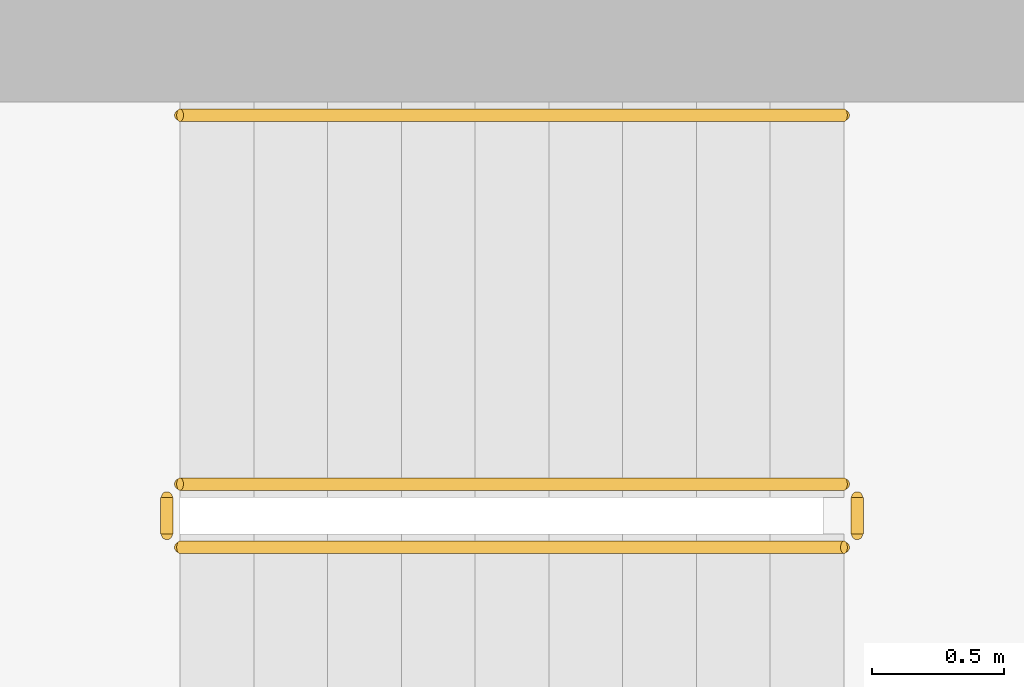
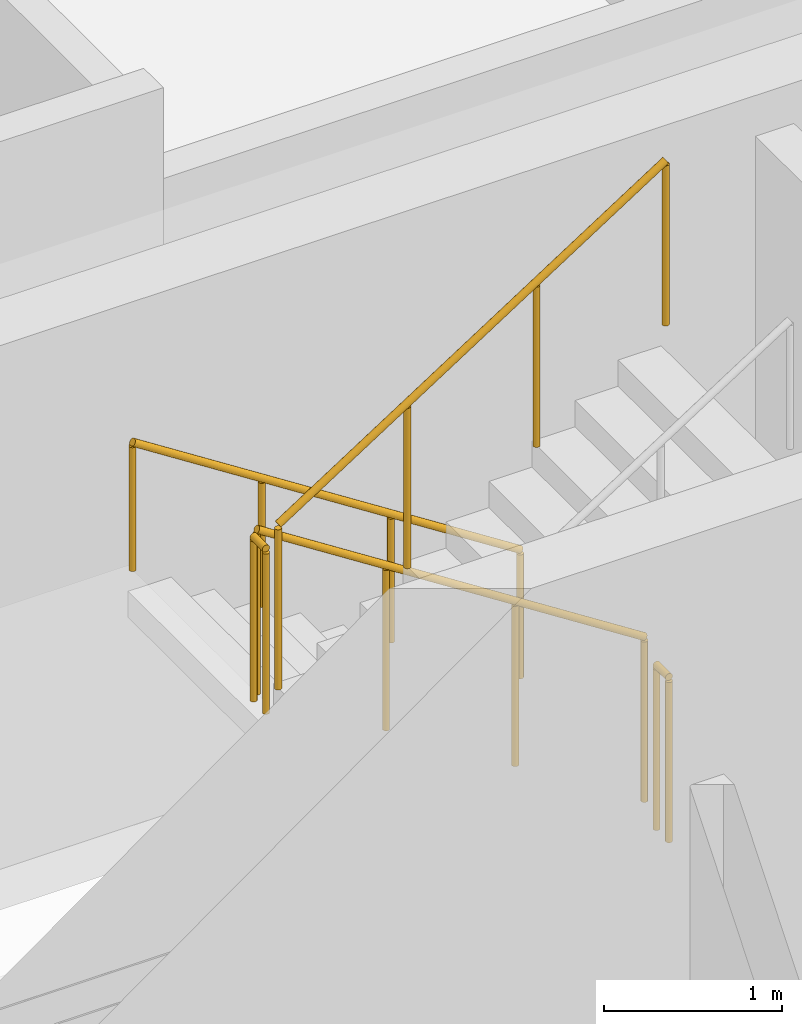
# One storey, part 13 of 14: 5 railings.
"""IFC4 building model written with IfcOpenShell, lengths in metres."""

from ifc_helpers import new_model, si_unit, derived_unit, direction, frame, origin, origin_2d, place, context, subcontext, project, spatial, circle, extrude, material, type_object, element, save


model = new_model("IFC4")

# Units and contexts
model_context = context("Model", 3, precision=1e-05, world=origin(), true_north=direction((0.0, 1.0)))
body_context = subcontext(model_context, "Body", "Model", "MODEL_VIEW")
ifc_project = project(units=[si_unit("LENGTHUNIT", "METRE"), si_unit("AREAUNIT", "SQUARE_METRE"), si_unit("VOLUMEUNIT", "CUBIC_METRE"), si_unit("PLANEANGLEUNIT", "RADIAN"), si_unit("MASSUNIT", "GRAM", prefix="KILO"), derived_unit("THERMALTRANSMITTANCEUNIT", [(si_unit("POWERUNIT", "WATT"), 1), (si_unit("LENGTHUNIT", "METRE"), -2), (si_unit("THERMODYNAMICTEMPERATUREUNIT", "KELVIN"), -1)])], contexts=[model_context])

# Site, building, storey
site_placement = place(None, origin())
site = spatial("IfcSite", under=ifc_project, at=site_placement, CompositionType="ELEMENT")
building_placement = place(site_placement, origin())
building = spatial("IfcBuilding", under=site, at=building_placement, Name="Kivonza Crest Hotel", CompositionType="ELEMENT")
storey_placement = place(building_placement, frame((0.0, 0.0, 217.10009765625)))
storey = spatial("IfcBuildingStorey", under=building, at=storey_placement, Name="L59", CompositionType="ELEMENT", Elevation=217.10009765625)

# Railings
ifc_material_1 = material(Name="Brushed stainless steel handrail", Category="steel")
railing_type_1 = type_object("IfcRailingType", Name="RL-HAND-900", PredefinedType="HANDRAIL", material=ifc_material_1)
railing_1_placement = place(storey_placement, frame((12.239990234375, 36.110107421875, 0.179931640625)))
element("IfcRailing", 1, at=railing_1_placement, inside=storey, type_object=railing_type_1, Name="L59 ST-T1-N stair handrail 1", PredefinedType="HANDRAIL", context=body_context, shape_type="SweptSolid", body=[
    extrude(circle(Radius=0.02392578125, at=origin_2d()), frame((0.0, 0.0, 0.8759765625), z_axis=(-0.841199657755, 0.0, 0.540724639528), x_axis=(0.0, -1.0, 0.0)), (0.0, 0.0, 1.0), 2.995849609375),
    extrude(circle(Radius=0.02099609375, at=origin_2d()), origin(), (0.0, 0.0, 1.0), 0.851806640625),
    extrude(circle(Radius=0.02099609375, at=origin_2d()), frame((-0.840087890625, 0.0, 0.5400390625)), (0.0, 0.0, 1.0), 0.851806640625),
    extrude(circle(Radius=0.02099609375, at=origin_2d()), frame((-1.679931640625, 0.0, 1.079833984375)), (0.0, 0.0, 1.0), 0.851806640625),
    extrude(circle(Radius=0.02099609375, at=origin_2d()), frame((-2.52001953125, 0.0, 1.619873046875)), (0.0, 0.0, 1.0), 0.851806640625),
])
ifc_material_2 = material(Name="Painted steel balustrade", Category="steel")
railing_type_2 = type_object("IfcRailingType", Name="RL-STAIR-1150", PredefinedType="BALUSTRADE", material=ifc_material_2)
railing_2_placement = place(storey_placement, frame((12.239990234375, 34.7099609375, 0.179931640625)))
element("IfcRailing", 2, at=railing_2_placement, inside=storey, type_object=railing_type_2, Name="L59 ST-T1-N stair guard 1", PredefinedType="BALUSTRADE", context=body_context, shape_type="SweptSolid", body=[
    extrude(circle(Radius=0.02392578125, at=origin_2d()), frame((0.0, 0.0, 1.1259765625), z_axis=(-0.841199657755, 0.0, 0.540724639528), x_axis=(0.0, -1.0, 0.0)), (0.0, 0.0, 1.0), 2.995849609375),
    extrude(circle(Radius=0.02099609375, at=origin_2d()), origin(), (0.0, 0.0, 1.0), 1.101806640625),
    extrude(circle(Radius=0.02099609375, at=origin_2d()), frame((-0.840087890625, 0.0, 0.5400390625)), (0.0, 0.0, 1.0), 1.101806640625),
    extrude(circle(Radius=0.02099609375, at=origin_2d()), frame((-1.679931640625, 0.0, 1.079833984375)), (0.0, 0.0, 1.0), 1.101806640625),
    extrude(circle(Radius=0.02099609375, at=origin_2d()), frame((-2.52001953125, 0.0, 1.619873046875)), (0.0, 0.0, 1.0), 1.101806640625),
])
railing_3_placement = place(storey_placement, frame((9.669921875, 34.659912109375, 1.7998046875)))
element("IfcRailing", 3, at=railing_3_placement, inside=storey, type_object=railing_type_2, Name="L59 ST-T1-N stair guard 2", PredefinedType="BALUSTRADE", context=body_context, shape_type="SweptSolid", body=[
    extrude(circle(Radius=0.02392578125, at=origin_2d()), frame((0.0, 0.0, 1.1259765625), z_axis=(0.0, -1.0, 0.0), x_axis=(1.0, 0.0, 0.0)), (0.0, 0.0, 1.0), 0.139892578125),
    extrude(circle(Radius=0.02099609375, at=origin_2d()), origin(), (0.0, 0.0, 1.0), 1.101806640625),
    extrude(circle(Radius=0.02099609375, at=origin_2d()), frame((0.0, -0.139892578125, 0.0)), (0.0, 0.0, 1.0), 1.101806640625),
])
railing_4_placement = place(storey_placement, frame((9.719970703125, 34.469970703125, 1.97998046875)))
element("IfcRailing", 4, at=railing_4_placement, inside=storey, type_object=railing_type_2, Name="L59 ST-T1-N stair guard 3", PredefinedType="BALUSTRADE", context=body_context, shape_type="SweptSolid", body=[
    extrude(circle(Radius=0.02392578125, at=origin_2d()), frame((0.0, 0.0, 1.1259765625), z_axis=(0.841199657755, 0.0, 0.540724639528), x_axis=(0.0, 1.0, 0.0)), (0.0, 0.0, 1.0), 2.995849609375),
    extrude(circle(Radius=0.02099609375, at=origin_2d()), origin(), (0.0, 0.0, 1.0), 1.101806640625),
    extrude(circle(Radius=0.02099609375, at=origin_2d()), frame((0.840087890625, 0.0, 0.5400390625)), (0.0, 0.0, 1.0), 1.101806640625),
    extrude(circle(Radius=0.02099609375, at=origin_2d()), frame((1.679931640625, 0.0, 1.079833984375)), (0.0, 0.0, 1.0), 1.101806640625),
    extrude(circle(Radius=0.02099609375, at=origin_2d()), frame((2.52001953125, 0.0, 1.619873046875)), (0.0, 0.0, 1.0), 1.101806640625),
])
railing_5_placement = place(storey_placement, frame((12.2900390625, 34.659912109375, 0.0)))
element("IfcRailing", 5, at=railing_5_placement, inside=storey, type_object=railing_type_2, Name="L59 ST-T1-N stair guard 4", PredefinedType="BALUSTRADE", context=body_context, shape_type="SweptSolid", body=[
    extrude(circle(Radius=0.02392578125, at=origin_2d()), frame((0.0, 0.0, 1.1259765625), z_axis=(0.0, -1.0, 0.0), x_axis=(1.0, 0.0, 0.0)), (0.0, 0.0, 1.0), 0.139892578125),
    extrude(circle(Radius=0.02099609375, at=origin_2d()), origin(), (0.0, 0.0, 1.0), 1.101806640625),
    extrude(circle(Radius=0.02099609375, at=origin_2d()), frame((0.0, -0.139892578125, 0.0)), (0.0, 0.0, 1.0), 1.101806640625),
])

save(model, "model.ifc")
